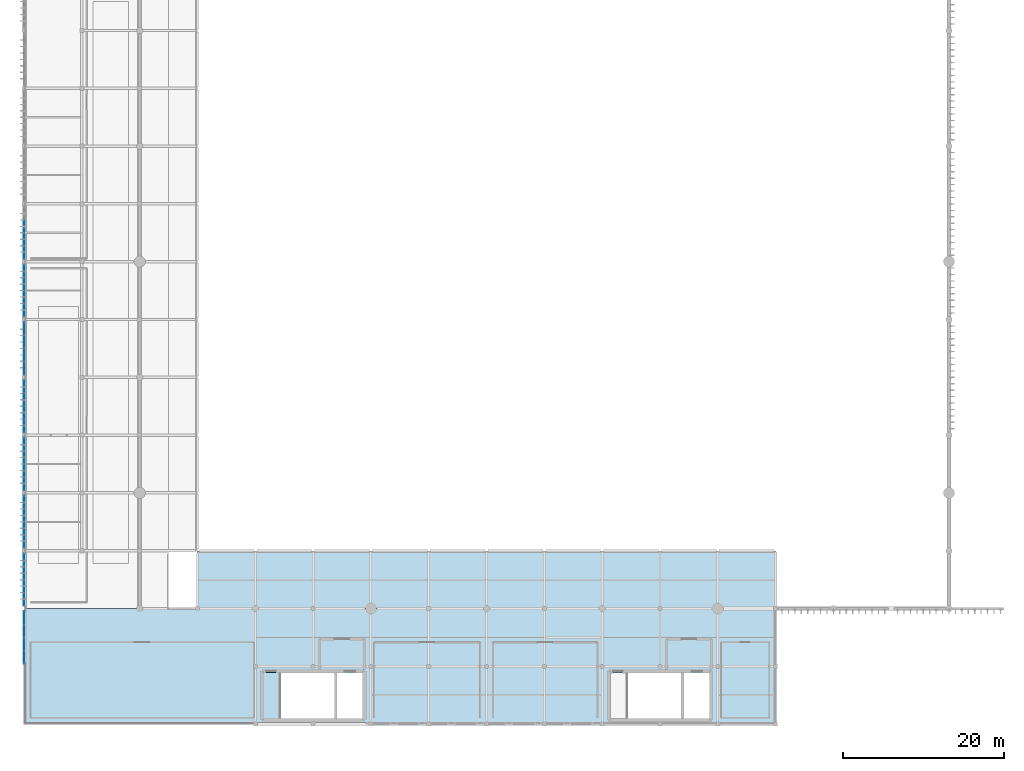
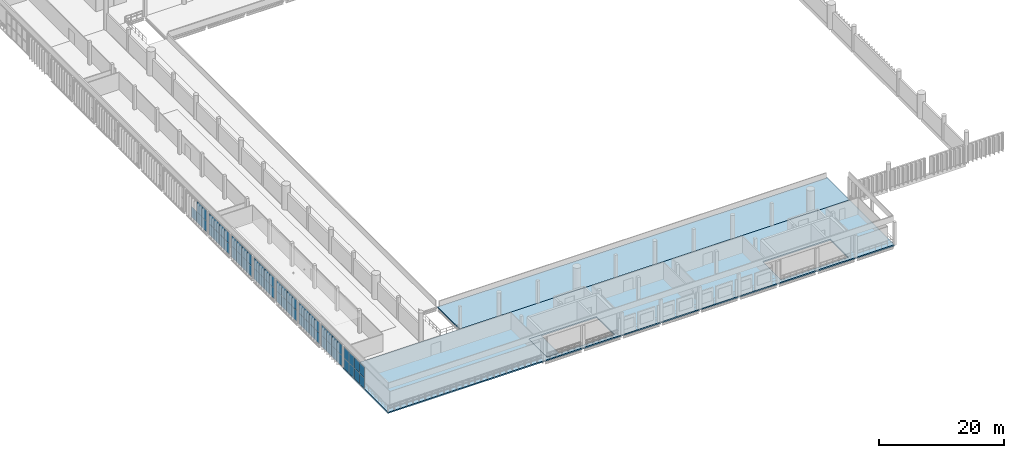
# One storey, part 39 of 64: 61 plates, 3 slabs, 8 elements without a shape of their own.
"""IFC4 building model written with IfcOpenShell, lengths in metres."""

from ifc_helpers import new_model, si_unit, direction, frame, origin, origin_2d, place, context, subcontext, project, spatial, polyline, rectangle, outline, extrude, material, layer, layer_set, type_object, element, aggregate, save


model = new_model("IFC4")

# Units and contexts
model_context = context("Model", 3, precision=1e-05, world=origin(), true_north=direction((0.0, 1.0)))
body_context = subcontext(model_context, "Body", "Model", "MODEL_VIEW")
ifc_project = project(units=[si_unit("LENGTHUNIT", "METRE"), si_unit("AREAUNIT", "SQUARE_METRE"), si_unit("VOLUMEUNIT", "CUBIC_METRE"), si_unit("PLANEANGLEUNIT", "RADIAN"), si_unit("MASSUNIT", "GRAM", prefix="KILO")], contexts=[model_context])

# Site, building, storey
site_placement = place(None, origin())
site = spatial("IfcSite", under=ifc_project, at=site_placement, CompositionType="ELEMENT")
building_placement = place(site_placement, origin())
building = spatial("IfcBuilding", under=site, at=building_placement, Name="Qandorah Velis Arena", CompositionType="ELEMENT")
storey_placement = place(building_placement, frame((0.0, 0.0, 23.0)))
storey = spatial("IfcBuildingStorey", under=building, at=storey_placement, Name="L05", CompositionType="ELEMENT", Elevation=23.0)

# Curtain wall, plates
ifc_material_1 = material(Name="Solar-control low-E double glazing", Category="glass")
curtain_wall_type_1 = type_object("IfcCurtainWallType", Name="ARC-CW-SYS15", PredefinedType="USERDEFINED", material=ifc_material_1)
curtain_wall_1_placement = place(storey_placement, origin())
curtain_wall_1 = element("IfcCurtainWall", 1, at=curtain_wall_1_placement, inside=storey, type_object=curtain_wall_type_1, Name="Unitised curtain wall L05-039", ObjectType="UNITISED CURTAIN WALL", PredefinedType="USERDEFINED")
ifc_layer_1 = layer(ifc_material_1, 0.02392578125)
ifc_layer_set_1 = layer_set([ifc_layer_1], Name="Solar-control low-E double glazing")
plate_type_1 = type_object("IfcPlateType", Name="ARC-CWP-GLZ24", PredefinedType="CURTAIN_PANEL", material=ifc_layer_set_1)
plate_1_placement = place(storey_placement, frame((0.0, 8.340087890625, 0.0498046875), z_axis=(0.0, 0.0, 1.0), x_axis=(0.0, 1.0, 0.0)))
plate_1 = element("IfcPlate", 2, at=plate_1_placement, type_object=plate_type_1, Name="CW15 panel 1.1", PredefinedType="CURTAIN_PANEL", context=body_context, shape_type="SweptSolid", body=[
    extrude(rectangle(XDim=1.580078125, YDim=0.02392578125, at=origin_2d()), origin(), (0.0, 0.0, 1.0), 2.070068359375),
])
plate_2_placement = place(storey_placement, frame((0.0, 8.340087890625, 2.16015625), z_axis=(0.0, 0.0, 1.0), x_axis=(0.0, 1.0, 0.0)))
plate_2 = element("IfcPlate", 3, at=plate_2_placement, type_object=plate_type_1, Name="CW15 panel 1.2", PredefinedType="CURTAIN_PANEL", context=body_context, shape_type="SweptSolid", body=[
    extrude(rectangle(XDim=1.580078125, YDim=0.02392578125, at=origin_2d()), origin(), (0.0, 0.0, 1.0), 2.070068359375),
])
plate_3_placement = place(storey_placement, frame((0.0, 9.97509765625, 0.0498046875), z_axis=(0.0, 0.0, 1.0), x_axis=(0.0, 1.0, 0.0)))
plate_3 = element("IfcPlate", 4, at=plate_3_placement, type_object=plate_type_1, Name="CW15 panel 2.1", PredefinedType="CURTAIN_PANEL", context=body_context, shape_type="SweptSolid", body=[
    extrude(rectangle(XDim=1.610107421875, YDim=0.02392578125, at=origin_2d()), origin(), (0.0, 0.0, 1.0), 2.070068359375),
])
plate_4_placement = place(storey_placement, frame((0.0, 9.97509765625, 2.16015625), z_axis=(0.0, 0.0, 1.0), x_axis=(0.0, 1.0, 0.0)))
plate_4 = element("IfcPlate", 5, at=plate_4_placement, type_object=plate_type_1, Name="CW15 panel 2.2", PredefinedType="CURTAIN_PANEL", context=body_context, shape_type="SweptSolid", body=[
    extrude(rectangle(XDim=1.610107421875, YDim=0.02392578125, at=origin_2d()), origin(), (0.0, 0.0, 1.0), 2.070068359375),
])
plate_5_placement = place(storey_placement, frame((0.0, 11.625, 0.0498046875), z_axis=(0.0, 0.0, 1.0), x_axis=(0.0, 1.0, 0.0)))
plate_5 = element("IfcPlate", 6, at=plate_5_placement, type_object=plate_type_1, Name="CW15 panel 3.1", PredefinedType="CURTAIN_PANEL", context=body_context, shape_type="SweptSolid", body=[
    extrude(rectangle(XDim=1.610107421875, YDim=0.02392578125, at=origin_2d()), origin(), (0.0, 0.0, 1.0), 2.070068359375),
])
plate_6_placement = place(storey_placement, frame((0.0, 11.625, 2.16015625), z_axis=(0.0, 0.0, 1.0), x_axis=(0.0, 1.0, 0.0)))
plate_6 = element("IfcPlate", 7, at=plate_6_placement, type_object=plate_type_1, Name="CW15 panel 3.2", PredefinedType="CURTAIN_PANEL", context=body_context, shape_type="SweptSolid", body=[
    extrude(rectangle(XDim=1.610107421875, YDim=0.02392578125, at=origin_2d()), origin(), (0.0, 0.0, 1.0), 2.070068359375),
])
plate_7_placement = place(storey_placement, frame((0.0, 13.260009765625, 0.0498046875), z_axis=(0.0, 0.0, 1.0), x_axis=(0.0, 1.0, 0.0)))
plate_7 = element("IfcPlate", 8, at=plate_7_placement, type_object=plate_type_1, Name="CW15 panel 4.1", PredefinedType="CURTAIN_PANEL", context=body_context, shape_type="SweptSolid", body=[
    extrude(rectangle(XDim=1.580078125, YDim=0.02392578125, at=origin_2d()), origin(), (0.0, 0.0, 1.0), 2.070068359375),
])
plate_8_placement = place(storey_placement, frame((0.0, 13.260009765625, 2.16015625), z_axis=(0.0, 0.0, 1.0), x_axis=(0.0, 1.0, 0.0)))
plate_8 = element("IfcPlate", 9, at=plate_8_placement, type_object=plate_type_1, Name="CW15 panel 4.2", PredefinedType="CURTAIN_PANEL", context=body_context, shape_type="SweptSolid", body=[
    extrude(rectangle(XDim=1.580078125, YDim=0.02392578125, at=origin_2d()), origin(), (0.0, 0.0, 1.0), 2.070068359375),
])
aggregate(curtain_wall_1, [plate_1, plate_2, plate_3, plate_4, plate_5, plate_6, plate_7, plate_8])

curtain_wall_type_2 = type_object("IfcCurtainWallType", Name="ARC-CW-SYS20", PredefinedType="USERDEFINED", material=ifc_material_1)
curtain_wall_2_placement = place(storey_placement, origin())
curtain_wall_2 = element("IfcCurtainWall", 10, at=curtain_wall_2_placement, inside=storey, type_object=curtain_wall_type_2, Name="Unitised curtain wall L05-044", ObjectType="UNITISED CURTAIN WALL", PredefinedType="USERDEFINED")
plate_9_placement = place(storey_placement, frame((0.0, 44.3388671875, 0.044921875), z_axis=(0.0, 0.0, 1.0), x_axis=(0.0, 1.0, 0.0)))
plate_9 = element("IfcPlate", 11, at=plate_9_placement, type_object=plate_type_1, Name="CW20 panel 1.1", PredefinedType="CURTAIN_PANEL", context=body_context, shape_type="SweptSolid", body=[
    extrude(rectangle(XDim=1.58740234375, YDim=0.02392578125, at=origin_2d()), origin(), (0.0, 0.0, 1.0), 2.077392578125),
])
plate_10_placement = place(storey_placement, frame((0.0, 44.3388671875, 2.15771484375), z_axis=(0.0, 0.0, 1.0), x_axis=(0.0, 1.0, 0.0)))
plate_10 = element("IfcPlate", 12, at=plate_10_placement, type_object=plate_type_1, Name="CW20 panel 1.2", PredefinedType="CURTAIN_PANEL", context=body_context, shape_type="SweptSolid", body=[
    extrude(rectangle(XDim=1.58740234375, YDim=0.02392578125, at=origin_2d()), origin(), (0.0, 0.0, 1.0), 2.077392578125),
])
plate_11_placement = place(storey_placement, frame((0.0, 45.97509765625, 0.044921875), z_axis=(0.0, 0.0, 1.0), x_axis=(0.0, 1.0, 0.0)))
plate_11 = element("IfcPlate", 13, at=plate_11_placement, type_object=plate_type_1, Name="CW20 panel 2.1", PredefinedType="CURTAIN_PANEL", context=body_context, shape_type="SweptSolid", body=[
    extrude(rectangle(XDim=1.614990234375, YDim=0.02392578125, at=origin_2d()), origin(), (0.0, 0.0, 1.0), 2.077392578125),
])
plate_12_placement = place(storey_placement, frame((0.0, 45.97509765625, 2.15771484375), z_axis=(0.0, 0.0, 1.0), x_axis=(0.0, 1.0, 0.0)))
plate_12 = element("IfcPlate", 14, at=plate_12_placement, type_object=plate_type_1, Name="CW20 panel 2.2", PredefinedType="CURTAIN_PANEL", context=body_context, shape_type="SweptSolid", body=[
    extrude(rectangle(XDim=1.614990234375, YDim=0.02392578125, at=origin_2d()), origin(), (0.0, 0.0, 1.0), 2.077392578125),
])
plate_13_placement = place(storey_placement, frame((0.0, 47.625, 0.044921875), z_axis=(0.0, 0.0, 1.0), x_axis=(0.0, 1.0, 0.0)))
plate_13 = element("IfcPlate", 15, at=plate_13_placement, type_object=plate_type_1, Name="CW20 panel 3.1", PredefinedType="CURTAIN_PANEL", context=body_context, shape_type="SweptSolid", body=[
    extrude(rectangle(XDim=1.614990234375, YDim=0.02392578125, at=origin_2d()), origin(), (0.0, 0.0, 1.0), 2.077392578125),
])
plate_14_placement = place(storey_placement, frame((0.0, 47.625, 2.15771484375), z_axis=(0.0, 0.0, 1.0), x_axis=(0.0, 1.0, 0.0)))
plate_14 = element("IfcPlate", 16, at=plate_14_placement, type_object=plate_type_1, Name="CW20 panel 3.2", PredefinedType="CURTAIN_PANEL", context=body_context, shape_type="SweptSolid", body=[
    extrude(rectangle(XDim=1.614990234375, YDim=0.02392578125, at=origin_2d()), origin(), (0.0, 0.0, 1.0), 2.077392578125),
])
plate_15_placement = place(storey_placement, frame((0.0, 49.26123046875, 0.044921875), z_axis=(0.0, 0.0, 1.0), x_axis=(0.0, 1.0, 0.0)))
plate_15 = element("IfcPlate", 17, at=plate_15_placement, type_object=plate_type_1, Name="CW20 panel 4.1", PredefinedType="CURTAIN_PANEL", context=body_context, shape_type="SweptSolid", body=[
    extrude(rectangle(XDim=1.58740234375, YDim=0.02392578125, at=origin_2d()), origin(), (0.0, 0.0, 1.0), 2.077392578125),
])
plate_16_placement = place(storey_placement, frame((0.0, 49.26123046875, 2.15771484375), z_axis=(0.0, 0.0, 1.0), x_axis=(0.0, 1.0, 0.0)))
plate_16 = element("IfcPlate", 18, at=plate_16_placement, type_object=plate_type_1, Name="CW20 panel 4.2", PredefinedType="CURTAIN_PANEL", context=body_context, shape_type="SweptSolid", body=[
    extrude(rectangle(XDim=1.58740234375, YDim=0.02392578125, at=origin_2d()), origin(), (0.0, 0.0, 1.0), 2.077392578125),
])
aggregate(curtain_wall_2, [plate_9, plate_10, plate_11, plate_12, plate_13, plate_14, plate_15, plate_16])

curtain_wall_type_3 = type_object("IfcCurtainWallType", Name="ARC-CW-SYS19", PredefinedType="USERDEFINED", material=ifc_material_1)
curtain_wall_3_placement = place(storey_placement, origin())
curtain_wall_3 = element("IfcCurtainWall", 19, at=curtain_wall_3_placement, inside=storey, type_object=curtain_wall_type_3, Name="Unitised curtain wall L05-043", ObjectType="UNITISED CURTAIN WALL", PredefinedType="USERDEFINED")
ifc_layer_2 = layer(ifc_material_1, 0.028076171875)
ifc_layer_set_2 = layer_set([ifc_layer_2], Name="Solar-control low-E double glazing")
plate_type_2 = type_object("IfcPlateType", Name="ARC-CWP-GLZ28", PredefinedType="CURTAIN_PANEL", material=ifc_layer_set_2)
plate_17_placement = place(storey_placement, frame((0.0, 37.139892578125, 0.0498046875), z_axis=(0.0, 0.0, 1.0), x_axis=(0.0, 1.0, 0.0)))
plate_17 = element("IfcPlate", 20, at=plate_17_placement, type_object=plate_type_2, Name="CW19 panel 1.1", PredefinedType="CURTAIN_PANEL", context=body_context, shape_type="SweptSolid", body=[
    extrude(rectangle(XDim=1.580078125, YDim=0.028076171875, at=origin_2d()), origin(), (0.0, 0.0, 1.0), 2.070068359375),
])
plate_18_placement = place(storey_placement, frame((0.0, 37.139892578125, 2.16015625), z_axis=(0.0, 0.0, 1.0), x_axis=(0.0, 1.0, 0.0)))
plate_18 = element("IfcPlate", 21, at=plate_18_placement, type_object=plate_type_2, Name="CW19 panel 1.2", PredefinedType="CURTAIN_PANEL", context=body_context, shape_type="SweptSolid", body=[
    extrude(rectangle(XDim=1.580078125, YDim=0.028076171875, at=origin_2d()), origin(), (0.0, 0.0, 1.0), 2.070068359375),
])
plate_19_placement = place(storey_placement, frame((0.0, 38.77490234375, 0.0498046875), z_axis=(0.0, 0.0, 1.0), x_axis=(0.0, 1.0, 0.0)))
plate_19 = element("IfcPlate", 22, at=plate_19_placement, type_object=plate_type_2, Name="CW19 panel 2.1", PredefinedType="CURTAIN_PANEL", context=body_context, shape_type="SweptSolid", body=[
    extrude(rectangle(XDim=1.610107421875, YDim=0.028076171875, at=origin_2d()), origin(), (0.0, 0.0, 1.0), 2.070068359375),
])
plate_20_placement = place(storey_placement, frame((0.0, 38.77490234375, 2.16015625), z_axis=(0.0, 0.0, 1.0), x_axis=(0.0, 1.0, 0.0)))
plate_20 = element("IfcPlate", 23, at=plate_20_placement, type_object=plate_type_2, Name="CW19 panel 2.2", PredefinedType="CURTAIN_PANEL", context=body_context, shape_type="SweptSolid", body=[
    extrude(rectangle(XDim=1.610107421875, YDim=0.028076171875, at=origin_2d()), origin(), (0.0, 0.0, 1.0), 2.070068359375),
])
plate_21_placement = place(storey_placement, frame((0.0, 40.425048828125, 0.0498046875), z_axis=(0.0, 0.0, 1.0), x_axis=(0.0, 1.0, 0.0)))
plate_21 = element("IfcPlate", 24, at=plate_21_placement, type_object=plate_type_2, Name="CW19 panel 3.1", PredefinedType="CURTAIN_PANEL", context=body_context, shape_type="SweptSolid", body=[
    extrude(rectangle(XDim=1.610107421875, YDim=0.028076171875, at=origin_2d()), origin(), (0.0, 0.0, 1.0), 2.070068359375),
])
plate_22_placement = place(storey_placement, frame((0.0, 40.425048828125, 2.16015625), z_axis=(0.0, 0.0, 1.0), x_axis=(0.0, 1.0, 0.0)))
plate_22 = element("IfcPlate", 25, at=plate_22_placement, type_object=plate_type_2, Name="CW19 panel 3.2", PredefinedType="CURTAIN_PANEL", context=body_context, shape_type="SweptSolid", body=[
    extrude(rectangle(XDim=1.610107421875, YDim=0.028076171875, at=origin_2d()), origin(), (0.0, 0.0, 1.0), 2.070068359375),
])
plate_23_placement = place(storey_placement, frame((0.0, 42.06005859375, 0.0498046875), z_axis=(0.0, 0.0, 1.0), x_axis=(0.0, 1.0, 0.0)))
plate_23 = element("IfcPlate", 26, at=plate_23_placement, type_object=plate_type_2, Name="CW19 panel 4.1", PredefinedType="CURTAIN_PANEL", context=body_context, shape_type="SweptSolid", body=[
    extrude(rectangle(XDim=1.580078125, YDim=0.028076171875, at=origin_2d()), origin(), (0.0, 0.0, 1.0), 2.070068359375),
])
plate_24_placement = place(storey_placement, frame((0.0, 42.06005859375, 2.16015625), z_axis=(0.0, 0.0, 1.0), x_axis=(0.0, 1.0, 0.0)))
plate_24 = element("IfcPlate", 27, at=plate_24_placement, type_object=plate_type_2, Name="CW19 panel 4.2", PredefinedType="CURTAIN_PANEL", context=body_context, shape_type="SweptSolid", body=[
    extrude(rectangle(XDim=1.580078125, YDim=0.028076171875, at=origin_2d()), origin(), (0.0, 0.0, 1.0), 2.070068359375),
])
aggregate(curtain_wall_3, [plate_17, plate_18, plate_19, plate_20, plate_21, plate_22, plate_23, plate_24])

curtain_wall_type_4 = type_object("IfcCurtainWallType", Name="ARC-CW-SYS18", PredefinedType="USERDEFINED", material=ifc_material_1)
curtain_wall_4_placement = place(storey_placement, origin())
curtain_wall_4 = element("IfcCurtainWall", 28, at=curtain_wall_4_placement, inside=storey, type_object=curtain_wall_type_4, Name="Unitised curtain wall L05-042", ObjectType="UNITISED CURTAIN WALL", PredefinedType="USERDEFINED")
ifc_layer_3 = layer(ifc_material_1, 0.030029296875)
ifc_layer_set_3 = layer_set([ifc_layer_3], Name="Solar-control low-E double glazing")
plate_type_3 = type_object("IfcPlateType", Name="ARC-CWP-GLZ30", PredefinedType="CURTAIN_PANEL", material=ifc_layer_set_3)
plate_25_placement = place(storey_placement, frame((0.0, 29.941162109375, 0.054931640625), z_axis=(0.0, 0.0, 1.0), x_axis=(0.0, 1.0, 0.0)))
plate_25 = element("IfcPlate", 29, at=plate_25_placement, type_object=plate_type_3, Name="CW18 panel 1.1", PredefinedType="CURTAIN_PANEL", context=body_context, shape_type="SweptSolid", body=[
    extrude(rectangle(XDim=1.572509765625, YDim=0.030029296875, at=origin_2d()), origin(), (0.0, 0.0, 1.0), 2.0625),
])
plate_26_placement = place(storey_placement, frame((0.0, 29.941162109375, 2.16259765625), z_axis=(0.0, 0.0, 1.0), x_axis=(0.0, 1.0, 0.0)))
plate_26 = element("IfcPlate", 30, at=plate_26_placement, type_object=plate_type_3, Name="CW18 panel 1.2", PredefinedType="CURTAIN_PANEL", context=body_context, shape_type="SweptSolid", body=[
    extrude(rectangle(XDim=1.572509765625, YDim=0.030029296875, at=origin_2d()), origin(), (0.0, 0.0, 1.0), 2.0625),
])
plate_27_placement = place(storey_placement, frame((0.0, 31.574951171875, 0.054931640625), z_axis=(0.0, 0.0, 1.0), x_axis=(0.0, 1.0, 0.0)))
plate_27 = element("IfcPlate", 31, at=plate_27_placement, type_object=plate_type_3, Name="CW18 panel 2.1", PredefinedType="CURTAIN_PANEL", context=body_context, shape_type="SweptSolid", body=[
    extrude(rectangle(XDim=1.60498046875, YDim=0.030029296875, at=origin_2d()), origin(), (0.0, 0.0, 1.0), 2.0625),
])
plate_28_placement = place(storey_placement, frame((0.0, 31.574951171875, 2.16259765625), z_axis=(0.0, 0.0, 1.0), x_axis=(0.0, 1.0, 0.0)))
plate_28 = element("IfcPlate", 32, at=plate_28_placement, type_object=plate_type_3, Name="CW18 panel 2.2", PredefinedType="CURTAIN_PANEL", context=body_context, shape_type="SweptSolid", body=[
    extrude(rectangle(XDim=1.60498046875, YDim=0.030029296875, at=origin_2d()), origin(), (0.0, 0.0, 1.0), 2.0625),
])
plate_29_placement = place(storey_placement, frame((0.0, 33.22509765625, 0.054931640625), z_axis=(0.0, 0.0, 1.0), x_axis=(0.0, 1.0, 0.0)))
plate_29 = element("IfcPlate", 33, at=plate_29_placement, type_object=plate_type_3, Name="CW18 panel 3.1", PredefinedType="CURTAIN_PANEL", context=body_context, shape_type="SweptSolid", body=[
    extrude(rectangle(XDim=1.60498046875, YDim=0.030029296875, at=origin_2d()), origin(), (0.0, 0.0, 1.0), 2.0625),
])
plate_30_placement = place(storey_placement, frame((0.0, 33.22509765625, 2.16259765625), z_axis=(0.0, 0.0, 1.0), x_axis=(0.0, 1.0, 0.0)))
plate_30 = element("IfcPlate", 34, at=plate_30_placement, type_object=plate_type_3, Name="CW18 panel 3.2", PredefinedType="CURTAIN_PANEL", context=body_context, shape_type="SweptSolid", body=[
    extrude(rectangle(XDim=1.60498046875, YDim=0.030029296875, at=origin_2d()), origin(), (0.0, 0.0, 1.0), 2.0625),
])
plate_31_placement = place(storey_placement, frame((0.0, 34.858642578125, 0.054931640625), z_axis=(0.0, 0.0, 1.0), x_axis=(0.0, 1.0, 0.0)))
plate_31 = element("IfcPlate", 35, at=plate_31_placement, type_object=plate_type_3, Name="CW18 panel 4.1", PredefinedType="CURTAIN_PANEL", context=body_context, shape_type="SweptSolid", body=[
    extrude(rectangle(XDim=1.572509765625, YDim=0.030029296875, at=origin_2d()), origin(), (0.0, 0.0, 1.0), 2.0625),
])
plate_32_placement = place(storey_placement, frame((0.0, 34.858642578125, 2.16259765625), z_axis=(0.0, 0.0, 1.0), x_axis=(0.0, 1.0, 0.0)))
plate_32 = element("IfcPlate", 36, at=plate_32_placement, type_object=plate_type_3, Name="CW18 panel 4.2", PredefinedType="CURTAIN_PANEL", context=body_context, shape_type="SweptSolid", body=[
    extrude(rectangle(XDim=1.572509765625, YDim=0.030029296875, at=origin_2d()), origin(), (0.0, 0.0, 1.0), 2.0625),
])
aggregate(curtain_wall_4, [plate_25, plate_26, plate_27, plate_28, plate_29, plate_30, plate_31, plate_32])

curtain_wall_type_5 = type_object("IfcCurtainWallType", Name="ARC-CW-SYS17", PredefinedType="USERDEFINED", material=ifc_material_1)
curtain_wall_5_placement = place(storey_placement, origin())
curtain_wall_5 = element("IfcCurtainWall", 37, at=curtain_wall_5_placement, inside=storey, type_object=curtain_wall_type_5, Name="Unitised curtain wall L05-041", ObjectType="UNITISED CURTAIN WALL", PredefinedType="USERDEFINED")
ifc_layer_4 = layer(ifc_material_1, 0.035888671875)
ifc_layer_set_4 = layer_set([ifc_layer_4], Name="Solar-control low-E double glazing")
plate_type_4 = type_object("IfcPlateType", Name="ARC-CWP-GLZ36", PredefinedType="CURTAIN_PANEL", material=ifc_layer_set_4)
plate_33_placement = place(storey_placement, frame((0.0, 22.74365234375, 0.06494140625), z_axis=(0.0, 0.0, 1.0), x_axis=(0.0, 1.0, 0.0)))
plate_33 = element("IfcPlate", 38, at=plate_33_placement, type_object=plate_type_4, Name="CW17 panel 1.1", PredefinedType="CURTAIN_PANEL", context=body_context, shape_type="SweptSolid", body=[
    extrude(rectangle(XDim=1.5576171875, YDim=0.035888671875, at=origin_2d()), origin(), (0.0, 0.0, 1.0), 2.047607421875),
])
plate_34_placement = place(storey_placement, frame((0.0, 22.74365234375, 2.16748046875), z_axis=(0.0, 0.0, 1.0), x_axis=(0.0, 1.0, 0.0)))
plate_34 = element("IfcPlate", 39, at=plate_34_placement, type_object=plate_type_4, Name="CW17 panel 1.2", PredefinedType="CURTAIN_PANEL", context=body_context, shape_type="SweptSolid", body=[
    extrude(rectangle(XDim=1.5576171875, YDim=0.035888671875, at=origin_2d()), origin(), (0.0, 0.0, 1.0), 2.047607421875),
])
plate_35_placement = place(storey_placement, frame((0.0, 24.375, 0.06494140625), z_axis=(0.0, 0.0, 1.0), x_axis=(0.0, 1.0, 0.0)))
plate_35 = element("IfcPlate", 40, at=plate_35_placement, type_object=plate_type_4, Name="CW17 panel 2.1", PredefinedType="CURTAIN_PANEL", context=body_context, shape_type="SweptSolid", body=[
    extrude(rectangle(XDim=1.594970703125, YDim=0.035888671875, at=origin_2d()), origin(), (0.0, 0.0, 1.0), 2.047607421875),
])
plate_36_placement = place(storey_placement, frame((0.0, 24.375, 2.16748046875), z_axis=(0.0, 0.0, 1.0), x_axis=(0.0, 1.0, 0.0)))
plate_36 = element("IfcPlate", 41, at=plate_36_placement, type_object=plate_type_4, Name="CW17 panel 2.2", PredefinedType="CURTAIN_PANEL", context=body_context, shape_type="SweptSolid", body=[
    extrude(rectangle(XDim=1.594970703125, YDim=0.035888671875, at=origin_2d()), origin(), (0.0, 0.0, 1.0), 2.047607421875),
])
plate_37_placement = place(storey_placement, frame((0.0, 26.02490234375, 0.06494140625), z_axis=(0.0, 0.0, 1.0), x_axis=(0.0, 1.0, 0.0)))
plate_37 = element("IfcPlate", 42, at=plate_37_placement, type_object=plate_type_4, Name="CW17 panel 3.1", PredefinedType="CURTAIN_PANEL", context=body_context, shape_type="SweptSolid", body=[
    extrude(rectangle(XDim=1.594970703125, YDim=0.035888671875, at=origin_2d()), origin(), (0.0, 0.0, 1.0), 2.047607421875),
])
plate_38_placement = place(storey_placement, frame((0.0, 26.02490234375, 2.16748046875), z_axis=(0.0, 0.0, 1.0), x_axis=(0.0, 1.0, 0.0)))
plate_38 = element("IfcPlate", 43, at=plate_38_placement, type_object=plate_type_4, Name="CW17 panel 3.2", PredefinedType="CURTAIN_PANEL", context=body_context, shape_type="SweptSolid", body=[
    extrude(rectangle(XDim=1.594970703125, YDim=0.035888671875, at=origin_2d()), origin(), (0.0, 0.0, 1.0), 2.047607421875),
])
plate_39_placement = place(storey_placement, frame((0.0, 27.65625, 0.06494140625), z_axis=(0.0, 0.0, 1.0), x_axis=(0.0, 1.0, 0.0)))
plate_39 = element("IfcPlate", 44, at=plate_39_placement, type_object=plate_type_4, Name="CW17 panel 4.1", PredefinedType="CURTAIN_PANEL", context=body_context, shape_type="SweptSolid", body=[
    extrude(rectangle(XDim=1.5576171875, YDim=0.035888671875, at=origin_2d()), origin(), (0.0, 0.0, 1.0), 2.047607421875),
])
plate_40_placement = place(storey_placement, frame((0.0, 27.65625, 2.16748046875), z_axis=(0.0, 0.0, 1.0), x_axis=(0.0, 1.0, 0.0)))
plate_40 = element("IfcPlate", 45, at=plate_40_placement, type_object=plate_type_4, Name="CW17 panel 4.2", PredefinedType="CURTAIN_PANEL", context=body_context, shape_type="SweptSolid", body=[
    extrude(rectangle(XDim=1.5576171875, YDim=0.035888671875, at=origin_2d()), origin(), (0.0, 0.0, 1.0), 2.047607421875),
])
aggregate(curtain_wall_5, [plate_33, plate_34, plate_35, plate_36, plate_37, plate_38, plate_39, plate_40])

curtain_wall_type_6 = type_object("IfcCurtainWallType", Name="ARC-CW-SYS22", PredefinedType="USERDEFINED", material=ifc_material_1)
curtain_wall_6_placement = place(storey_placement, origin())
curtain_wall_6 = element("IfcCurtainWall", 46, at=curtain_wall_6_placement, inside=storey, type_object=curtain_wall_type_6, Name="Unitised curtain wall L05-046", ObjectType="UNITISED CURTAIN WALL", PredefinedType="USERDEFINED")
plate_41_placement = place(storey_placement, frame((0.0, 58.7412109375, 0.054931640625), z_axis=(0.0, 0.0, 1.0), x_axis=(0.0, 1.0, 0.0)))
plate_41 = element("IfcPlate", 47, at=plate_41_placement, type_object=plate_type_4, Name="CW22 panel 1.1", PredefinedType="CURTAIN_PANEL", context=body_context, shape_type="SweptSolid", body=[
    extrude(rectangle(XDim=1.572509765625, YDim=0.035888671875, at=origin_2d()), origin(), (0.0, 0.0, 1.0), 2.0625),
])
plate_42_placement = place(storey_placement, frame((0.0, 58.7412109375, 2.16259765625), z_axis=(0.0, 0.0, 1.0), x_axis=(0.0, 1.0, 0.0)))
plate_42 = element("IfcPlate", 48, at=plate_42_placement, type_object=plate_type_4, Name="CW22 panel 1.2", PredefinedType="CURTAIN_PANEL", context=body_context, shape_type="SweptSolid", body=[
    extrude(rectangle(XDim=1.572509765625, YDim=0.035888671875, at=origin_2d()), origin(), (0.0, 0.0, 1.0), 2.0625),
])
plate_43_placement = place(storey_placement, frame((0.0, 60.375, 0.054931640625), z_axis=(0.0, 0.0, 1.0), x_axis=(0.0, 1.0, 0.0)))
plate_43 = element("IfcPlate", 49, at=plate_43_placement, type_object=plate_type_4, Name="CW22 panel 2.1", PredefinedType="CURTAIN_PANEL", context=body_context, shape_type="SweptSolid", body=[
    extrude(rectangle(XDim=1.60498046875, YDim=0.035888671875, at=origin_2d()), origin(), (0.0, 0.0, 1.0), 2.0625),
])
plate_44_placement = place(storey_placement, frame((0.0, 60.375, 2.16259765625), z_axis=(0.0, 0.0, 1.0), x_axis=(0.0, 1.0, 0.0)))
plate_44 = element("IfcPlate", 50, at=plate_44_placement, type_object=plate_type_4, Name="CW22 panel 2.2", PredefinedType="CURTAIN_PANEL", context=body_context, shape_type="SweptSolid", body=[
    extrude(rectangle(XDim=1.60498046875, YDim=0.035888671875, at=origin_2d()), origin(), (0.0, 0.0, 1.0), 2.0625),
])
plate_45_placement = place(storey_placement, frame((0.0, 62.02490234375, 0.054931640625), z_axis=(0.0, 0.0, 1.0), x_axis=(0.0, 1.0, 0.0)))
plate_45 = element("IfcPlate", 51, at=plate_45_placement, type_object=plate_type_4, Name="CW22 panel 3.1", PredefinedType="CURTAIN_PANEL", context=body_context, shape_type="SweptSolid", body=[
    extrude(rectangle(XDim=1.60498046875, YDim=0.035888671875, at=origin_2d()), origin(), (0.0, 0.0, 1.0), 2.0625),
])
aggregate(curtain_wall_6, [plate_41, plate_42, plate_43, plate_44, plate_45])

curtain_wall_type_7 = type_object("IfcCurtainWallType", Name="ARC-CW-SYS16", PredefinedType="USERDEFINED", material=ifc_material_1)
curtain_wall_7_placement = place(storey_placement, origin())
curtain_wall_7 = element("IfcCurtainWall", 52, at=curtain_wall_7_placement, inside=storey, type_object=curtain_wall_type_7, Name="Unitised curtain wall L05-040", ObjectType="UNITISED CURTAIN WALL", PredefinedType="USERDEFINED")
ifc_layer_5 = layer(ifc_material_1, 0.0439453125)
ifc_layer_set_5 = layer_set([ifc_layer_5], Name="Solar-control low-E double glazing")
plate_type_5 = type_object("IfcPlateType", Name="ARC-CWP-SPN44", PredefinedType="CURTAIN_PANEL", material=ifc_layer_set_5)
plate_46_placement = place(storey_placement, frame((0.0, 15.538818359375, 0.044921875), z_axis=(0.0, 0.0, 1.0), x_axis=(0.0, 1.0, 0.0)))
plate_46 = element("IfcPlate", 53, at=plate_46_placement, type_object=plate_type_5, Name="CW16 panel 1.1", PredefinedType="CURTAIN_PANEL", context=body_context, shape_type="SweptSolid", body=[
    extrude(rectangle(XDim=1.58740234375, YDim=0.0439453125, at=origin_2d()), origin(), (0.0, 0.0, 1.0), 2.077392578125),
])
plate_47_placement = place(storey_placement, frame((0.0, 15.538818359375, 2.15771484375), z_axis=(0.0, 0.0, 1.0), x_axis=(0.0, 1.0, 0.0)))
plate_47 = element("IfcPlate", 54, at=plate_47_placement, type_object=plate_type_5, Name="CW16 panel 1.2", PredefinedType="CURTAIN_PANEL", context=body_context, shape_type="SweptSolid", body=[
    extrude(rectangle(XDim=1.58740234375, YDim=0.0439453125, at=origin_2d()), origin(), (0.0, 0.0, 1.0), 2.077392578125),
])
plate_48_placement = place(storey_placement, frame((0.0, 17.175048828125, 0.044921875), z_axis=(0.0, 0.0, 1.0), x_axis=(0.0, 1.0, 0.0)))
plate_48 = element("IfcPlate", 55, at=plate_48_placement, type_object=plate_type_5, Name="CW16 panel 2.1", PredefinedType="CURTAIN_PANEL", context=body_context, shape_type="SweptSolid", body=[
    extrude(rectangle(XDim=1.614990234375, YDim=0.0439453125, at=origin_2d()), origin(), (0.0, 0.0, 1.0), 2.077392578125),
])
plate_49_placement = place(storey_placement, frame((0.0, 17.175048828125, 2.15771484375), z_axis=(0.0, 0.0, 1.0), x_axis=(0.0, 1.0, 0.0)))
plate_49 = element("IfcPlate", 56, at=plate_49_placement, type_object=plate_type_5, Name="CW16 panel 2.2", PredefinedType="CURTAIN_PANEL", context=body_context, shape_type="SweptSolid", body=[
    extrude(rectangle(XDim=1.614990234375, YDim=0.0439453125, at=origin_2d()), origin(), (0.0, 0.0, 1.0), 2.077392578125),
])
plate_50_placement = place(storey_placement, frame((0.0, 18.824951171875, 0.044921875), z_axis=(0.0, 0.0, 1.0), x_axis=(0.0, 1.0, 0.0)))
plate_50 = element("IfcPlate", 57, at=plate_50_placement, type_object=plate_type_5, Name="CW16 panel 3.1", PredefinedType="CURTAIN_PANEL", context=body_context, shape_type="SweptSolid", body=[
    extrude(rectangle(XDim=1.614990234375, YDim=0.0439453125, at=origin_2d()), origin(), (0.0, 0.0, 1.0), 2.077392578125),
])
plate_51_placement = place(storey_placement, frame((0.0, 18.824951171875, 2.15771484375), z_axis=(0.0, 0.0, 1.0), x_axis=(0.0, 1.0, 0.0)))
plate_51 = element("IfcPlate", 58, at=plate_51_placement, type_object=plate_type_5, Name="CW16 panel 3.2", PredefinedType="CURTAIN_PANEL", context=body_context, shape_type="SweptSolid", body=[
    extrude(rectangle(XDim=1.614990234375, YDim=0.0439453125, at=origin_2d()), origin(), (0.0, 0.0, 1.0), 2.077392578125),
])
plate_52_placement = place(storey_placement, frame((0.0, 20.461181640625, 0.044921875), z_axis=(0.0, 0.0, 1.0), x_axis=(0.0, 1.0, 0.0)))
plate_52 = element("IfcPlate", 59, at=plate_52_placement, type_object=plate_type_5, Name="CW16 panel 4.1", PredefinedType="CURTAIN_PANEL", context=body_context, shape_type="SweptSolid", body=[
    extrude(rectangle(XDim=1.58740234375, YDim=0.0439453125, at=origin_2d()), origin(), (0.0, 0.0, 1.0), 2.077392578125),
])
plate_53_placement = place(storey_placement, frame((0.0, 20.461181640625, 2.15771484375), z_axis=(0.0, 0.0, 1.0), x_axis=(0.0, 1.0, 0.0)))
plate_53 = element("IfcPlate", 60, at=plate_53_placement, type_object=plate_type_5, Name="CW16 panel 4.2", PredefinedType="CURTAIN_PANEL", context=body_context, shape_type="SweptSolid", body=[
    extrude(rectangle(XDim=1.58740234375, YDim=0.0439453125, at=origin_2d()), origin(), (0.0, 0.0, 1.0), 2.077392578125),
])
aggregate(curtain_wall_7, [plate_46, plate_47, plate_48, plate_49, plate_50, plate_51, plate_52, plate_53])

curtain_wall_type_8 = type_object("IfcCurtainWallType", Name="ARC-CW-SYS21", PredefinedType="USERDEFINED", material=ifc_material_1)
curtain_wall_8_placement = place(storey_placement, origin())
curtain_wall_8 = element("IfcCurtainWall", 61, at=curtain_wall_8_placement, inside=storey, type_object=curtain_wall_type_8, Name="Unitised curtain wall L05-045", ObjectType="UNITISED CURTAIN WALL", PredefinedType="USERDEFINED")
plate_54_placement = place(storey_placement, frame((0.0, 51.543701171875, 0.06494140625), z_axis=(0.0, 0.0, 1.0), x_axis=(0.0, 1.0, 0.0)))
plate_54 = element("IfcPlate", 62, at=plate_54_placement, type_object=plate_type_5, Name="CW21 panel 1.1", PredefinedType="CURTAIN_PANEL", context=body_context, shape_type="SweptSolid", body=[
    extrude(rectangle(XDim=1.5576171875, YDim=0.0439453125, at=origin_2d()), origin(), (0.0, 0.0, 1.0), 2.047607421875),
])
plate_55_placement = place(storey_placement, frame((0.0, 51.543701171875, 2.16748046875), z_axis=(0.0, 0.0, 1.0), x_axis=(0.0, 1.0, 0.0)))
plate_55 = element("IfcPlate", 63, at=plate_55_placement, type_object=plate_type_5, Name="CW21 panel 1.2", PredefinedType="CURTAIN_PANEL", context=body_context, shape_type="SweptSolid", body=[
    extrude(rectangle(XDim=1.5576171875, YDim=0.0439453125, at=origin_2d()), origin(), (0.0, 0.0, 1.0), 2.047607421875),
])
plate_56_placement = place(storey_placement, frame((0.0, 53.175048828125, 0.06494140625), z_axis=(0.0, 0.0, 1.0), x_axis=(0.0, 1.0, 0.0)))
plate_56 = element("IfcPlate", 64, at=plate_56_placement, type_object=plate_type_5, Name="CW21 panel 2.1", PredefinedType="CURTAIN_PANEL", context=body_context, shape_type="SweptSolid", body=[
    extrude(rectangle(XDim=1.594970703125, YDim=0.0439453125, at=origin_2d()), origin(), (0.0, 0.0, 1.0), 2.047607421875),
])
plate_57_placement = place(storey_placement, frame((0.0, 53.175048828125, 2.16748046875), z_axis=(0.0, 0.0, 1.0), x_axis=(0.0, 1.0, 0.0)))
plate_57 = element("IfcPlate", 65, at=plate_57_placement, type_object=plate_type_5, Name="CW21 panel 2.2", PredefinedType="CURTAIN_PANEL", context=body_context, shape_type="SweptSolid", body=[
    extrude(rectangle(XDim=1.594970703125, YDim=0.0439453125, at=origin_2d()), origin(), (0.0, 0.0, 1.0), 2.047607421875),
])
plate_58_placement = place(storey_placement, frame((0.0, 54.824951171875, 0.06494140625), z_axis=(0.0, 0.0, 1.0), x_axis=(0.0, 1.0, 0.0)))
plate_58 = element("IfcPlate", 66, at=plate_58_placement, type_object=plate_type_5, Name="CW21 panel 3.1", PredefinedType="CURTAIN_PANEL", context=body_context, shape_type="SweptSolid", body=[
    extrude(rectangle(XDim=1.594970703125, YDim=0.0439453125, at=origin_2d()), origin(), (0.0, 0.0, 1.0), 2.047607421875),
])
plate_59_placement = place(storey_placement, frame((0.0, 54.824951171875, 2.16748046875), z_axis=(0.0, 0.0, 1.0), x_axis=(0.0, 1.0, 0.0)))
plate_59 = element("IfcPlate", 67, at=plate_59_placement, type_object=plate_type_5, Name="CW21 panel 3.2", PredefinedType="CURTAIN_PANEL", context=body_context, shape_type="SweptSolid", body=[
    extrude(rectangle(XDim=1.594970703125, YDim=0.0439453125, at=origin_2d()), origin(), (0.0, 0.0, 1.0), 2.047607421875),
])
plate_60_placement = place(storey_placement, frame((0.0, 56.456298828125, 0.06494140625), z_axis=(0.0, 0.0, 1.0), x_axis=(0.0, 1.0, 0.0)))
plate_60 = element("IfcPlate", 68, at=plate_60_placement, type_object=plate_type_5, Name="CW21 panel 4.1", PredefinedType="CURTAIN_PANEL", context=body_context, shape_type="SweptSolid", body=[
    extrude(rectangle(XDim=1.5576171875, YDim=0.0439453125, at=origin_2d()), origin(), (0.0, 0.0, 1.0), 2.047607421875),
])
plate_61_placement = place(storey_placement, frame((0.0, 56.456298828125, 2.16748046875), z_axis=(0.0, 0.0, 1.0), x_axis=(0.0, 1.0, 0.0)))
plate_61 = element("IfcPlate", 69, at=plate_61_placement, type_object=plate_type_5, Name="CW21 panel 4.2", PredefinedType="CURTAIN_PANEL", context=body_context, shape_type="SweptSolid", body=[
    extrude(rectangle(XDim=1.5576171875, YDim=0.0439453125, at=origin_2d()), origin(), (0.0, 0.0, 1.0), 2.047607421875),
])
aggregate(curtain_wall_8, [plate_54, plate_55, plate_56, plate_57, plate_58, plate_59, plate_60, plate_61])

# Slabs
ifc_material_2 = material(Name="Concrete C40/50", Category="concrete")
ifc_layer_6 = layer(ifc_material_2, 0.25)
ifc_layer_set_6 = layer_set([ifc_layer_6], Name="Concrete C40/50")
slab_type_1 = type_object("IfcSlabType", Name="STR-SLB-FL250", PredefinedType="FLOOR", material=ifc_layer_set_6)
slab_1_placement = place(storey_placement, frame((0.0, 0.0, -0.25)))
element("IfcSlab", 70, at=slab_1_placement, inside=storey, type_object=slab_type_1, Name="Structural floor slab L05_SOUTH_PLANT", PredefinedType="FLOOR", context=body_context, shape_type="SweptSolid", body=[
    extrude(outline(polyline([(93.60009765625, 0.0), (0.0, 0.0), (0.0, 14.39990234375), (93.60009765625, 14.39990234375), (93.60009765625, 0.0)]), holes=[polyline([(31.955078125, 0.64501953125), (42.2548828125, 0.64501953125), (42.2548828125, 6.455078125), (31.955078125, 6.455078125), (29.7451171875, 6.455078125), (29.7451171875, 0.64501953125), (31.955078125, 0.64501953125)]), polyline([(72.945068359375, 0.64501953125), (75.155029296875, 0.64501953125), (85.455078125, 0.64501953125), (85.455078125, 6.455078125), (75.155029296875, 6.455078125), (72.945068359375, 6.455078125), (72.945068359375, 0.64501953125)])]), origin(), (0.0, 0.0, 1.0), 0.25),
])
ifc_layer_7 = layer(ifc_material_2, 0.219970703125)
ifc_layer_set_7 = layer_set([ifc_layer_7], Name="Concrete C40/50")
slab_type_2 = type_object("IfcSlabType", Name="STR-SLB-LND220", PredefinedType="LANDING", material=ifc_layer_set_7)
slab_2_placement = place(storey_placement, frame((0.0, 0.0, -0.219970703125)))
element("IfcSlab", 71, at=slab_2_placement, inside=storey, type_object=slab_type_2, Name="Stair ST1 storey landing slab L05", PredefinedType="LANDING", context=body_context, shape_type="SweptSolid", body=[
    extrude(outline(polyline([(29.75, 0.64990234375), (31.949951171875, 0.64990234375), (31.949951171875, 6.449951171875), (29.75, 6.449951171875), (29.75, 0.64990234375)])), origin(), (0.0, 0.0, 1.0), 0.219970703125),
])
ifc_layer_8 = layer(ifc_material_2, 0.219970703125)
ifc_layer_set_8 = layer_set([ifc_layer_8], Name="Concrete C40/50")
slab_type_3 = type_object("IfcSlabType", Name="STR-SLB-RF220", PredefinedType="ROOF", material=ifc_layer_set_8)
slab_3_placement = place(storey_placement, frame((0.0, 0.0, -0.219970703125)))
element("IfcSlab", 72, at=slab_3_placement, inside=storey, type_object=slab_type_3, Name="Roof slab SLB-ROOF-MEDIA-S", PredefinedType="ROOF", context=body_context, shape_type="SweptSolid", body=[
    extrude(outline(polyline([(21.60009765625, 14.39990234375), (93.60009765625, 14.39990234375), (93.60009765625, 21.60009765625), (21.60009765625, 21.60009765625), (21.60009765625, 14.39990234375)])), origin(), (0.0, 0.0, 1.0), 0.219970703125),
])

save(model, "model.ifc")
